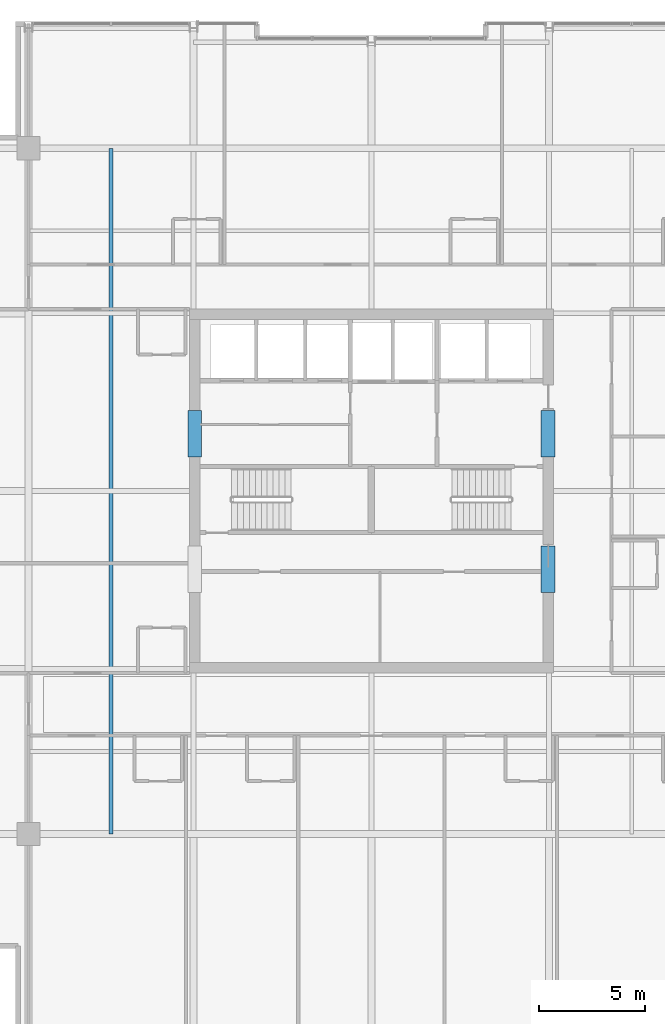
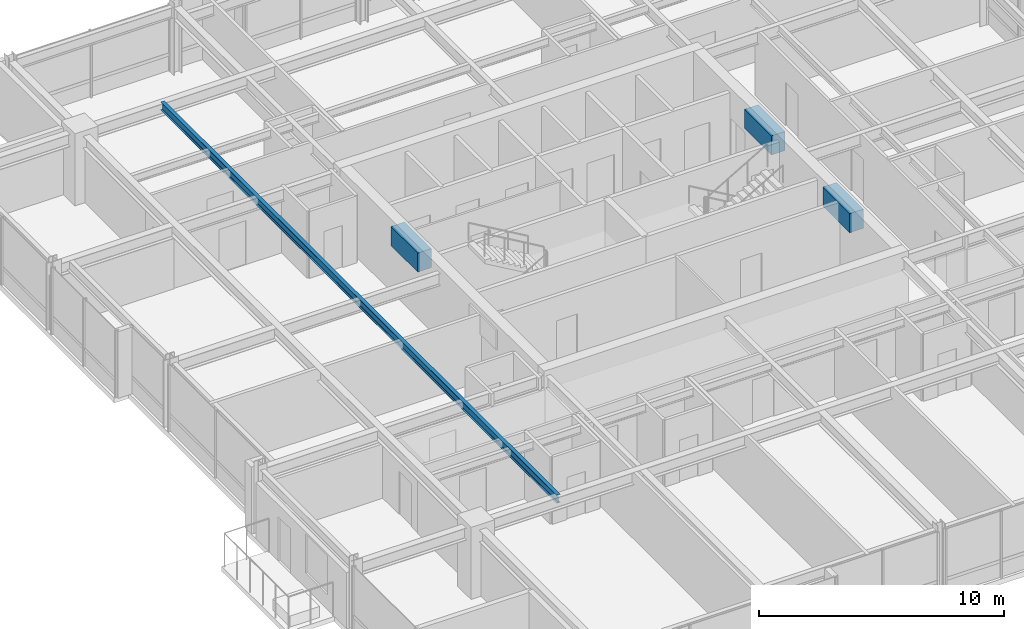
# One storey, part 11 of 31: 4 beams.
"""IFC4 building model written with IfcOpenShell, lengths in metres."""

from ifc_helpers import new_model, si_unit, direction, frame, origin, origin_2d, place, context, subcontext, project, spatial, rectangle, i_section, extrude, material, material_profile, profile_set, type_object, element, save


model = new_model("IFC4")

# Units and contexts
model_context = context("Model", 3, precision=1e-05, world=origin(), true_north=direction((0.0, 1.0)))
body_context = subcontext(model_context, "Body", "Model", "MODEL_VIEW")
ifc_project = project(units=[si_unit("LENGTHUNIT", "METRE"), si_unit("AREAUNIT", "SQUARE_METRE"), si_unit("VOLUMEUNIT", "CUBIC_METRE"), si_unit("PLANEANGLEUNIT", "RADIAN"), si_unit("MASSUNIT", "GRAM", prefix="KILO")], contexts=[model_context])

# Site, building, storey
site_placement = place(None, origin())
site = spatial("IfcSite", under=ifc_project, at=site_placement, CompositionType="ELEMENT")
building_placement = place(site_placement, origin())
building = spatial("IfcBuilding", under=site, at=building_placement, Name="Drelvath Grand Hotel", CompositionType="ELEMENT")
storey_placement = place(building_placement, frame((0.0, 0.0, 230.300048828125)))
storey = spatial("IfcBuildingStorey", under=building, at=storey_placement, Name="L60", CompositionType="ELEMENT", Elevation=230.300048828125)

# Beams
ifc_material_1 = material(Name="Steel ASTM A992 Gr 50", Category="steel")
ifc_material_profile_1 = material_profile(ifc_material_1, i_section(OverallWidth=0.177734375, OverallDepth=0.40673828125, WebThickness=0.0078125, FlangeThickness=0.0126953125, FilletRadius=0.014892578125, at=origin_2d()), Name="W16X40")
ifc_profile_set_1 = profile_set([ifc_material_profile_1], Name="Steel ASTM A992 Gr 50")
beam_type_1 = type_object("IfcBeamType", Name="Composite Floor Joist W16X40", PredefinedType="JOIST", material=ifc_profile_set_1)
beam_placement = place(storey_placement, frame((-12.300048828125, 10.800048828125, 3.136474609375), z_axis=(0.0, 1.0, 0.0), x_axis=(-1.0, 0.0, 0.0)))
element("IfcBeam", 1, at=beam_placement, inside=storey, type_object=beam_type_1, Name="L60 Wing Floor Joist J3", PredefinedType="JOIST", context=body_context, shape_type="SweptSolid", body=[
    extrude(i_section(OverallWidth=0.177734375, OverallDepth=0.40673828125, WebThickness=0.0078125, FlangeThickness=0.0126953125, FilletRadius=0.014892578125, at=origin_2d()), origin(), (0.0, 0.0, 1.0), 32.39990234375),
])
ifc_material_2 = material(Name="Concrete f'c 55 MPa", Category="concrete")
ifc_material_profile_2 = material_profile(ifc_material_2, rectangle(XDim=0.64990234375, YDim=0.949951171875, at=origin_2d()), Name="CB650X950")
ifc_profile_set_2 = profile_set([ifc_material_profile_2], Name="Concrete f'c 55 MPa")
beam_type_2 = type_object("IfcBeamType", Name="Core Coupling Lintel CB650X950", PredefinedType="LINTEL", material=ifc_profile_set_2)
for number, where, z_axis, x_axis, name in (
    (2, (-8.35009765625, 28.60009765625, 2.864990234375), (0.0, 1.0, 0.0), (-1.0, 0.0, 0.0), "L60 Core Coupling Lintel WN"),
    (3, (8.35009765625, 22.199951171875, 2.864990234375), (0.0, 1.0, 0.0), (-1.0, 0.0, 0.0), "L60 Core Coupling Lintel ES"),
    (4, (8.35009765625, 28.60009765625, 2.864990234375), (0.0, 1.0, 0.0), (-1.0, 0.0, 0.0), "L60 Core Coupling Lintel EN"),
):
    element("IfcBeam", number, at=place(storey_placement, frame(where, z_axis=z_axis, x_axis=x_axis)), inside=storey, type_object=beam_type_2, Name=name, PredefinedType="LINTEL", context=body_context, shape_type="SweptSolid", body=[
        extrude(rectangle(XDim=0.64990234375, YDim=0.949951171875, at=origin_2d()), origin(), (0.0, 0.0, 1.0), 2.199951171875),
    ])

save(model, "model.ifc")
